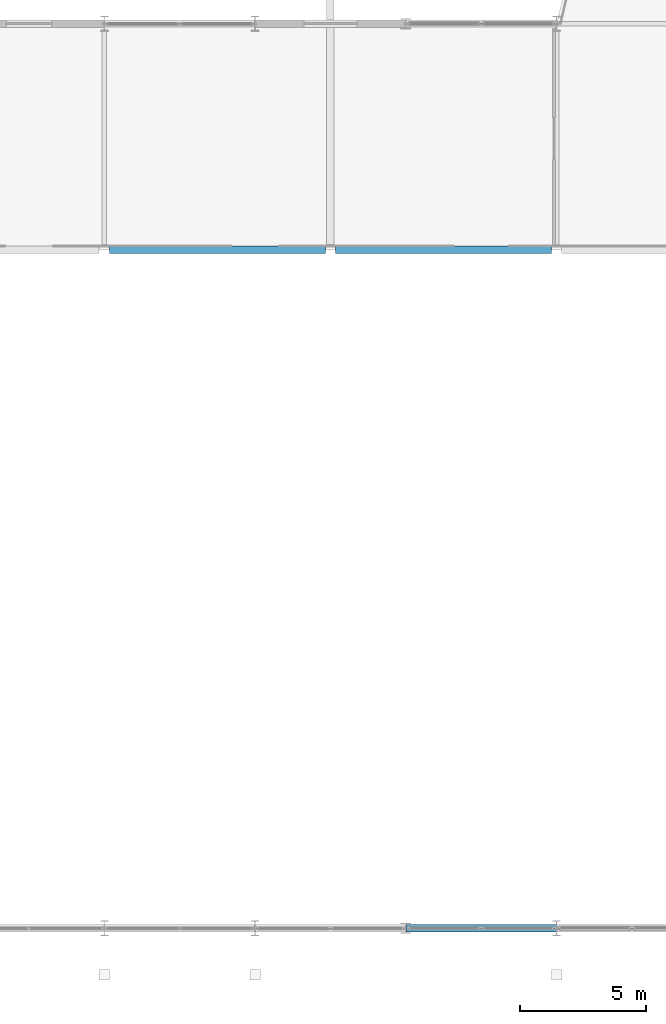
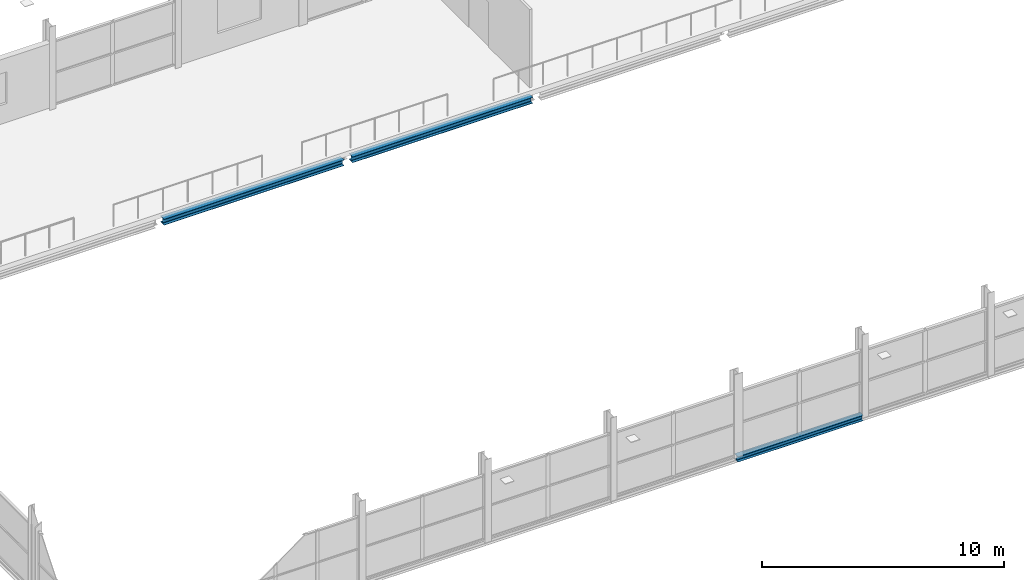
# One storey, part 29 of 135: 3 beams.
"""IFC4 building model written with IfcOpenShell, lengths in metres."""

from ifc_helpers import new_model, si_unit, direction, frame, origin, origin_2d, place, context, subcontext, project, spatial, i_section, extrude, material, material_profile, profile_set, type_object, element, save


model = new_model("IFC4")

# Units and contexts
model_context = context("Model", 3, precision=1e-05, world=origin(), true_north=direction((0.0, 1.0)))
body_context = subcontext(model_context, "Body", "Model", "MODEL_VIEW")
ifc_project = project(units=[si_unit("LENGTHUNIT", "METRE"), si_unit("AREAUNIT", "SQUARE_METRE"), si_unit("VOLUMEUNIT", "CUBIC_METRE"), si_unit("PLANEANGLEUNIT", "RADIAN"), si_unit("MASSUNIT", "GRAM", prefix="KILO")], contexts=[model_context])

# Site, building, storey
site_placement = place(None, origin())
site = spatial("IfcSite", under=ifc_project, at=site_placement, CompositionType="ELEMENT")
building_placement = place(site_placement, origin())
building = spatial("IfcBuilding", under=site, at=building_placement, Name="Deido Ridge Mobility Hub", CompositionType="ELEMENT")
storey_placement = place(building_placement, frame((0.0, 0.0, 4.199951171875)))
storey = spatial("IfcBuildingStorey", under=building, at=storey_placement, Name="L01", CompositionType="ELEMENT", Elevation=4.199951171875)

# Beams
ifc_material = material(Name="Steel S355J2 EN 10025-2", Category="steel")
ifc_material_profile_1 = material_profile(ifc_material, i_section(OverallWidth=0.280029296875, OverallDepth=0.27001953125, WebThickness=0.008056640625, FlangeThickness=0.012939453125, FilletRadius=0.02392578125, at=origin_2d()), Name="HEA 280")
ifc_profile_set_1 = profile_set([ifc_material_profile_1], Name="Steel S355J2 EN 10025-2")
beam_type_1 = type_object("IfcBeamType", Name="SPD-HEA280", PredefinedType="SPANDREL", material=ifc_profile_set_1)
beam_placement = place(storey_placement, frame((30.011962890625, 0.0, -0.135009765625), z_axis=(1.0, 0.0, 0.0), x_axis=(0.0, 1.0, 0.0)))
element("IfcBeam", 1, at=beam_placement, inside=storey, type_object=beam_type_1, Name="Concourse perimeter wind girt SP2", PredefinedType="SPANDREL", context=body_context, shape_type="SweptSolid", body=[
    extrude(i_section(OverallWidth=0.280029296875, OverallDepth=0.27001953125, WebThickness=0.008056640625, FlangeThickness=0.012939453125, FilletRadius=0.02392578125, at=origin_2d()), origin(), (0.0, 0.0, 1.0), 5.980224609375),
])
ifc_material_profile_2 = material_profile(ifc_material, i_section(OverallWidth=0.300048828125, OverallDepth=0.300048828125, WebThickness=0.010986328125, FlangeThickness=0.01904296875, FilletRadius=0.027099609375, at=origin_2d()), Name="HEB 300")
ifc_profile_set_2 = profile_set([ifc_material_profile_2], Name="Steel S355J2 EN 10025-2")
beam_type_2 = type_object("IfcBeamType", Name="SPD-HEB300", PredefinedType="SPANDREL", material=ifc_profile_set_2)
for number, where, z_axis, x_axis, name in (
    (2, (18.203125, 27.0, -0.39990234375), (1.0, 0.0, 0.0), (0.0, 1.0, 0.0), "Floor beam SP1"),
    (3, (27.203125, 27.0, -0.39990234375), (1.0, 0.0, 0.0), (0.0, 1.0, 0.0), "Floor beam SP1"),
):
    element("IfcBeam", number, at=place(storey_placement, frame(where, z_axis=z_axis, x_axis=x_axis)), inside=storey, type_object=beam_type_2, Name=name, PredefinedType="SPANDREL", context=body_context, shape_type="SweptSolid", body=[
        extrude(i_section(OverallWidth=0.300048828125, OverallDepth=0.300048828125, WebThickness=0.010986328125, FlangeThickness=0.01904296875, FilletRadius=0.027099609375, at=origin_2d()), origin(), (0.0, 0.0, 1.0), 8.59375),
    ])

save(model, "model.ifc")
